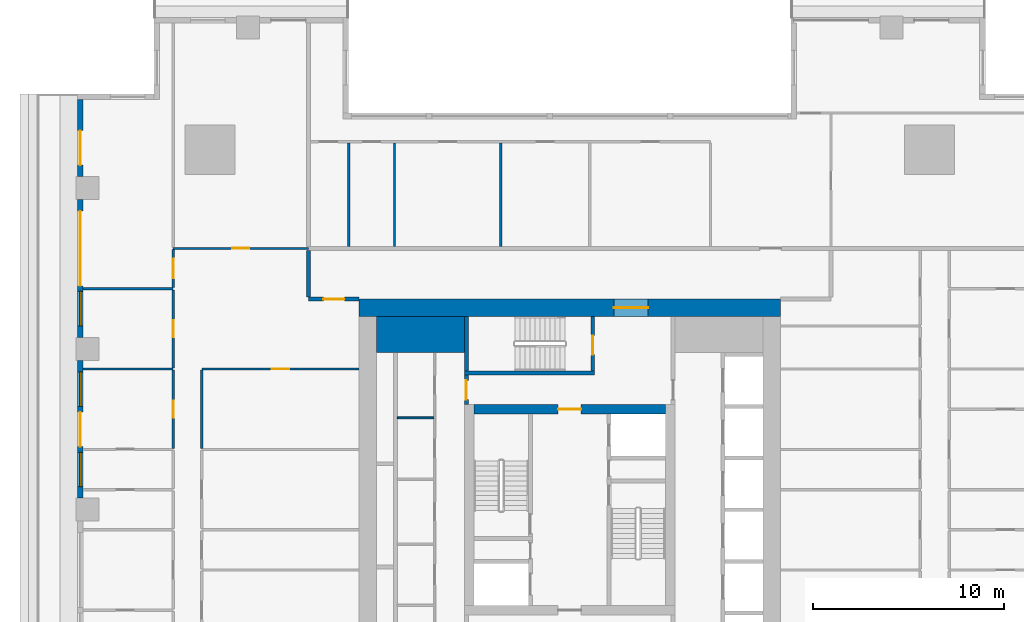
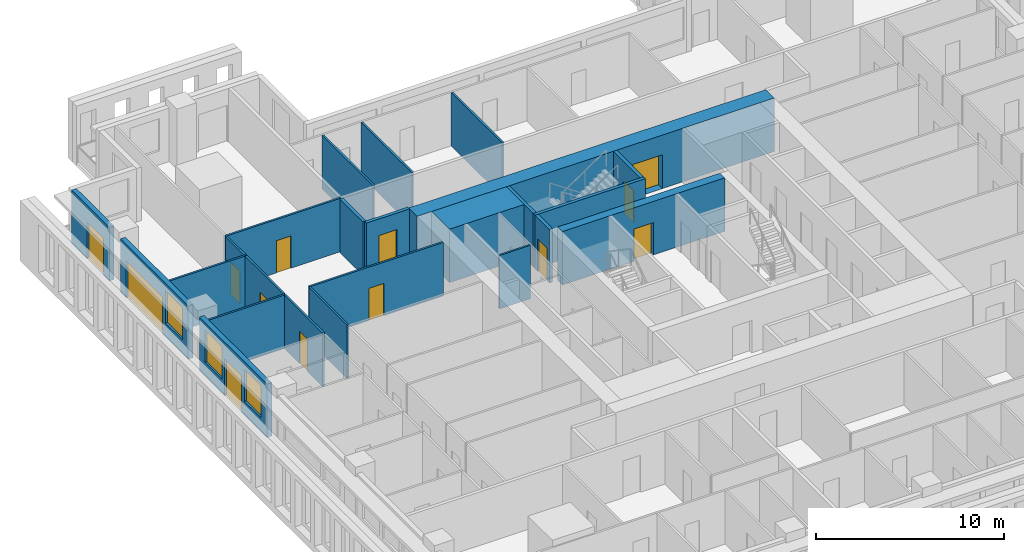
# One storey, part 7 of 16: 24 walls, 13 doors, 3 windows, 16 openings.
"""IFC4 building model written with IfcOpenShell, lengths in metres."""

from ifc_helpers import new_model, si_unit, direction, frame, frame_2d, origin, place, context, subcontext, project, spatial, rectangle, extrude, material, layer, layer_set, type_object, element, fill, save


model = new_model("IFC4")

# Units and contexts
model_context = context("Model", 3, precision=1e-05, world=origin(), true_north=direction((0.0, 1.0)))
body_context = subcontext(model_context, "Body", "Model", "MODEL_VIEW")
ifc_project = project(units=[si_unit("LENGTHUNIT", "METRE"), si_unit("AREAUNIT", "SQUARE_METRE"), si_unit("VOLUMEUNIT", "CUBIC_METRE"), si_unit("PLANEANGLEUNIT", "RADIAN"), si_unit("MASSUNIT", "GRAM", prefix="KILO")], contexts=[model_context])

# Site, building, storey
site_placement = place(None, origin())
site = spatial("IfcSite", under=ifc_project, at=site_placement, CompositionType="ELEMENT")
building_placement = place(site_placement, origin())
building = spatial("IfcBuilding", under=site, at=building_placement, Name="Khepri Terraces", CompositionType="ELEMENT")
storey_placement = place(building_placement, frame((0.0, 0.0, 168.89990234375)))
storey = spatial("IfcBuildingStorey", under=building, at=storey_placement, Name="L40", CompositionType="ELEMENT", Elevation=168.89990234375)

# Walls
ifc_material_1 = material(Name="Concrete C60/75", Category="concrete")
ifc_layer_1 = layer(ifc_material_1, 1.89990234375, Name="Concrete C60/75", Category="concrete")
ifc_layer_set_1 = layer_set([ifc_layer_1], Name="Concrete C60/75")
wall_type_1 = type_object("IfcWallType", Name="Core wall 1900 C60/75", PredefinedType="SHEAR", material=ifc_layer_set_1)
wall_1_placement = place(storey_placement, frame((-10.10009765625, 9.14990234375, 0.0), z_axis=(0.0, 0.0, 1.0), x_axis=(1.0, 0.0, 0.0)))
element("IfcWall", 1, at=wall_1_placement, inside=storey, type_object=wall_type_1, Name="Core wall PR03 L40", PredefinedType="SHEAR", context=body_context, shape_type="SweptSolid", body=[
    extrude(rectangle(XDim=4.60009765625, YDim=1.89990234375, at=frame_2d((2.300048828125, 0.0))), origin(), (0.0, 0.0, 1.0), 3.47998046875),
])
ifc_layer_2 = layer(ifc_material_1, 0.199951171875, Name="Concrete C60/75", Category="concrete")
ifc_layer_set_2 = layer_set([ifc_layer_2], Name="Concrete C60/75")
wall_type_2 = type_object("IfcWallType", Name="Core wall 200 C60/75", PredefinedType="SHEAR", material=ifc_layer_set_2)
wall_2_placement = place(storey_placement, frame((-5.5, 7.14990234375, 0.0), z_axis=(0.0, 0.0, 1.0), x_axis=(1.0, 0.0, 0.0)))
element("IfcWall", 2, at=wall_2_placement, inside=storey, type_object=wall_type_2, Name="Core wall ST05 L40", PredefinedType="SHEAR", context=body_context, shape_type="SweptSolid", body=[
    extrude(rectangle(XDim=6.800048828125, YDim=0.199951171875, at=frame_2d((3.39990234375, 0.0))), origin(), (0.0, 0.0, 1.0), 3.47998046875),
])
wall_3_placement = place(storey_placement, frame((-5.39990234375, 7.25, 0.0), z_axis=(0.0, 0.0, 1.0), x_axis=(0.0, 1.0, 0.0)))
element("IfcWall", 3, at=wall_3_placement, inside=storey, type_object=wall_type_2, Name="Core wall ST06 L40", PredefinedType="SHEAR", context=body_context, shape_type="SweptSolid", body=[
    extrude(rectangle(XDim=2.85009765625, YDim=0.199951171875, at=frame_2d((1.425048828125, 0.0))), origin(), (0.0, 0.0, 1.0), 3.47998046875),
])

# Wall, opening, door
wall_4_placement = place(storey_placement, frame((1.199951171875, 7.25, 0.0), z_axis=(0.0, 0.0, 1.0), x_axis=(0.0, 1.0, 0.0)))
wall_4 = element("IfcWall", 4, at=wall_4_placement, inside=storey, type_object=wall_type_2, Name="Core wall ST07 L40", PredefinedType="SHEAR", context=body_context, shape_type="SweptSolid", body=[
    extrude(rectangle(XDim=2.85009765625, YDim=0.199951171875, at=frame_2d((1.425048828125, 0.0))), origin(), (0.0, 0.0, 1.0), 3.47998046875),
])
opening_1_placement = place(wall_4_placement, frame((0.85009765625, 0.0, 0.0)))
opening_1 = element("IfcOpeningElement", 5, at=opening_1_placement, cuts=wall_4, Name="Opening L40-C15", PredefinedType="OPENING", context=body_context, shape_type="SweptSolid", body=[
    extrude(rectangle(XDim=1.0, YDim=2.10009765625, at=frame_2d((0.5, 1.050048828125))), frame((0.0, 0.10986328125, 0.0), z_axis=(0.0, -1.0, 0.0), x_axis=(1.0, 0.0, 0.0)), (0.0, 0.0, 1.0), 0.219970703125),
])
ifc_material_2 = material(Name="Painted steel", Category="steel")
door_type_1 = type_object("IfcDoorType", Name="DR-CORE-STAIR-1000", OperationType="NOTDEFINED", PredefinedType="DOOR", material=ifc_material_2)
door_1_placement = place(opening_1_placement, origin())
door_1 = element("IfcDoor", 6, at=door_1_placement, inside=storey, type_object=door_type_1, Name="Stair door L40-C15", OperationType="SINGLE_SWING_LEFT", OverallHeight=2.10009765625, OverallWidth=1.0, PredefinedType="DOOR", context=body_context, shape_type="SweptSolid", body=[
    extrude(rectangle(XDim=1.0, YDim=2.10009765625, at=frame_2d((0.5, 1.050048828125))), frame((0.0, 0.02490234375, 0.0), z_axis=(0.0, -1.0, 0.0), x_axis=(1.0, 0.0, 0.0)), (0.0, 0.0, 1.0), 0.050048828125),
])
fill(opening_1, door_1)

ifc_layer_3 = layer(ifc_material_1, 0.5, Name="Concrete C60/75", Category="concrete")
ifc_layer_set_3 = layer_set([ifc_layer_3], Name="Concrete C60/75")
wall_type_3 = type_object("IfcWallType", Name="Core wall 500 C60/75", PredefinedType="SHEAR", material=ifc_layer_set_3)
wall_5_placement = place(storey_placement, frame((-5.0, 5.25, 0.0), z_axis=(0.0, 0.0, 1.0), x_axis=(1.0, 0.0, 0.0)))
wall_5 = element("IfcWall", 7, at=wall_5_placement, inside=storey, type_object=wall_type_3, Name="Core wall BX04 L40", PredefinedType="SHEAR", context=body_context, shape_type="SweptSolid", body=[
    extrude(rectangle(XDim=10.0, YDim=0.5, at=frame_2d((5.0, 0.0))), origin(), (0.0, 0.0, 1.0), 3.47998046875),
])
opening_2_placement = place(wall_5_placement, frame((4.39990234375, 0.0, 0.0)))
opening_2 = element("IfcOpeningElement", 8, at=opening_2_placement, cuts=wall_5, Name="Opening L40-C13", PredefinedType="OPENING", context=body_context, shape_type="SweptSolid", body=[
    extrude(rectangle(XDim=1.199951171875, YDim=2.10009765625, at=frame_2d((0.60009765625, 1.050048828125))), frame((0.0, 0.260009765625, 0.0), z_axis=(0.0, -1.0, 0.0), x_axis=(1.0, 0.0, 0.0)), (0.0, 0.0, 1.0), 0.52001953125),
])
door_type_2 = type_object("IfcDoorType", Name="DR-CORE-FF-LOBBY-1200", OperationType="NOTDEFINED", PredefinedType="DOOR", material=ifc_material_2)
door_2_placement = place(opening_2_placement, frame((1.199951171875, 0.0, 0.0), z_axis=(0.0, 0.0, 1.0), x_axis=(-1.0, 0.0, 0.0)))
door_2 = element("IfcDoor", 9, at=door_2_placement, inside=storey, type_object=door_type_2, Name="Firefighting lobby door L40-C13", OperationType="SINGLE_SWING_LEFT", OverallHeight=2.10009765625, OverallWidth=1.199951171875, PredefinedType="DOOR", context=body_context, shape_type="SweptSolid", body=[
    extrude(rectangle(XDim=1.199951171875, YDim=2.10009765625, at=frame_2d((0.60009765625, 1.050048828125))), frame((0.0, 0.02490234375, 0.0), z_axis=(0.0, -1.0, 0.0), x_axis=(1.0, 0.0, 0.0)), (0.0, 0.0, 1.0), 0.050048828125),
])
fill(opening_2, door_2)

ifc_layer_4 = layer(ifc_material_1, 0.89990234375, Name="Concrete C60/75", Category="concrete")
ifc_layer_set_4 = layer_set([ifc_layer_4], Name="Concrete C60/75")
wall_type_4 = type_object("IfcWallType", Name="Core wall 900 C60/75", PredefinedType="SHEAR", material=ifc_layer_set_4)
wall_6_placement = place(storey_placement, frame((-11.0, 10.550048828125, 0.0), z_axis=(0.0, 0.0, 1.0), x_axis=(1.0, 0.0, 0.0)))
wall_6 = element("IfcWall", 10, at=wall_6_placement, inside=storey, type_object=wall_type_4, Name="Core wall OW-N L40", PredefinedType="SHEAR", context=body_context, shape_type="SweptSolid", body=[
    extrude(rectangle(XDim=22.0, YDim=0.89990234375, at=frame_2d((11.0, 0.0))), origin(), (0.0, 0.0, 1.0), 3.47998046875),
])
opening_3_placement = place(wall_6_placement, frame((13.300048828125, 0.0, 0.0)))
opening_3 = element("IfcOpeningElement", 11, at=opening_3_placement, cuts=wall_6, Name="Opening L40-C20", PredefinedType="OPENING", context=body_context, shape_type="SweptSolid", body=[
    extrude(rectangle(XDim=1.800048828125, YDim=2.199951171875, at=frame_2d((0.89990234375, 1.10009765625))), frame((0.0, 0.4599609375, 0.0), z_axis=(0.0, -1.0, 0.0), x_axis=(1.0, 0.0, 0.0)), (0.0, 0.0, 1.0), 0.919921875),
])
door_type_3 = type_object("IfcDoorType", Name="DR-CORE-ENTRANCE-1800", OperationType="NOTDEFINED", PredefinedType="DOOR", material=ifc_material_2)
door_3_placement = place(opening_3_placement, origin())
door_3 = element("IfcDoor", 12, at=door_3_placement, inside=storey, type_object=door_type_3, Name="Core entrance door pair L40-C20", OperationType="DOUBLE_DOOR_SINGLE_SWING", OverallHeight=2.199951171875, OverallWidth=1.800048828125, PredefinedType="DOOR", context=body_context, shape_type="SweptSolid", body=[
    extrude(rectangle(XDim=1.800048828125, YDim=2.199951171875, at=frame_2d((0.89990234375, 1.10009765625))), frame((0.0, 0.02490234375, 0.0), z_axis=(0.0, -1.0, 0.0), x_axis=(1.0, 0.0, 0.0)), (0.0, 0.0, 1.0), 0.050048828125),
])
fill(opening_3, door_3)

# Wall
ifc_material_3 = material(Name="Fire-rated gypsum board partition")
ifc_layer_5 = layer(ifc_material_3, 0.10009765625, Name="Fire-rated gypsum board partition")
ifc_layer_set_5 = layer_set([ifc_layer_5], Name="Fire-rated gypsum board partition")
wall_type_5 = type_object("IfcWallType", Name="WL-CORE-PART-100", PredefinedType="PARTITIONING", material=ifc_layer_set_5)
wall_7_placement = place(storey_placement, frame((-9.0, 4.800048828125, 0.0), z_axis=(0.0, 0.0, 1.0), x_axis=(1.0, 0.0, 0.0)))
element("IfcWall", 13, at=wall_7_placement, inside=storey, type_object=wall_type_5, Name="Core partition PT11 L40", PredefinedType="PARTITIONING", context=body_context, shape_type="SweptSolid", body=[
    extrude(rectangle(XDim=1.89990234375, YDim=0.10009765625, at=frame_2d((0.949951171875, 0.0))), origin(), (0.0, 0.0, 1.0), 3.47998046875),
])

# Wall, opening, door
ifc_layer_6 = layer(ifc_material_3, 0.199951171875, Name="Fire-rated gypsum board partition")
ifc_layer_set_6 = layer_set([ifc_layer_6], Name="Fire-rated gypsum board partition")
wall_type_6 = type_object("IfcWallType", Name="WL-CORE-PART-200", PredefinedType="PARTITIONING", material=ifc_layer_set_6)
wall_8_placement = place(storey_placement, frame((-5.39990234375, 5.5, 0.0), z_axis=(0.0, 0.0, 1.0), x_axis=(0.0, 1.0, 0.0)))
wall_8 = element("IfcWall", 14, at=wall_8_placement, inside=storey, type_object=wall_type_6, Name="Core partition PT12 L40", PredefinedType="PARTITIONING", context=body_context, shape_type="SweptSolid", body=[
    extrude(rectangle(XDim=1.550048828125, YDim=0.199951171875, at=frame_2d((0.77490234375, 0.0))), origin(), (0.0, 0.0, 1.0), 3.47998046875),
])
opening_4_placement = place(wall_8_placement, frame((0.25, 0.0, 0.0)))
opening_4 = element("IfcOpeningElement", 15, at=opening_4_placement, cuts=wall_8, Name="Opening L40-C16", PredefinedType="OPENING", context=body_context, shape_type="SweptSolid", body=[
    extrude(rectangle(XDim=1.0, YDim=2.10009765625, at=frame_2d((0.5, 1.050048828125))), frame((0.0, 0.10986328125, 0.0), z_axis=(0.0, -1.0, 0.0), x_axis=(1.0, 0.0, 0.0)), (0.0, 0.0, 1.0), 0.219970703125),
])
door_type_4 = type_object("IfcDoorType", Name="DR-CORE-LOBBY-1000", OperationType="NOTDEFINED", PredefinedType="DOOR", material=ifc_material_2)
door_4_placement = place(opening_4_placement, frame((1.0, 0.0, 0.0), z_axis=(0.0, 0.0, 1.0), x_axis=(-1.0, 0.0, 0.0)))
door_4 = element("IfcDoor", 16, at=door_4_placement, inside=storey, type_object=door_type_4, Name="Lobby door L40-C16", OperationType="SINGLE_SWING_RIGHT", OverallHeight=2.10009765625, OverallWidth=1.0, PredefinedType="DOOR", context=body_context, shape_type="SweptSolid", body=[
    extrude(rectangle(XDim=1.0, YDim=2.10009765625, at=frame_2d((0.5, 1.050048828125))), frame((0.0, 0.02490234375, 0.0), z_axis=(0.0, -1.0, 0.0), x_axis=(1.0, 0.0, 0.0)), (0.0, 0.0, 1.0), 0.050048828125),
])
fill(opening_4, door_4)

ifc_material_4 = material(Name="Fire-rated gypsum plasterboard partition, mineral wool")
ifc_layer_7 = layer(ifc_material_4, 0.199951171875, Name="Fire-rated gypsum plasterboard partition, mineral wool")
ifc_layer_set_7 = layer_set([ifc_layer_7], Name="Fire-rated gypsum plasterboard partition, mineral wool")
wall_type_7 = type_object("IfcWallType", Name="WL-CORR-200", PredefinedType="PARTITIONING", material=ifc_layer_set_7)
wall_9_placement = place(storey_placement, frame((-13.64990234375, 11.0, 0.0), z_axis=(0.0, 0.0, 1.0), x_axis=(1.0, 0.0, 0.0)))
wall_9 = element("IfcWall", 17, at=wall_9_placement, inside=storey, type_object=wall_type_7, Name="Partition P-084 L40", PredefinedType="PARTITIONING", context=body_context, shape_type="SweptSolid", body=[
    extrude(rectangle(XDim=2.64990234375, YDim=0.199951171875, at=frame_2d((1.324951171875, 0.0))), origin(), (0.0, 0.0, 1.0), 3.47998046875),
])
opening_5_placement = place(wall_9_placement, frame((0.77490234375, 0.0, 0.0)))
opening_5 = element("IfcOpeningElement", 18, at=opening_5_placement, cuts=wall_9, Name="Opening D1", PredefinedType="OPENING", context=body_context, shape_type="SweptSolid", body=[
    extrude(rectangle(XDim=1.10009765625, YDim=2.39990234375, at=frame_2d((0.550048828125, 1.199951171875))), frame((0.0, 0.10986328125, 0.0), z_axis=(0.0, -1.0, 0.0), x_axis=(1.0, 0.0, 0.0)), (0.0, 0.0, 1.0), 0.219970703125),
])
ifc_material_5 = material(Name="Solid-core timber door leaf, flat entrance door", Category="wood")
door_type_5 = type_object("IfcDoorType", Name="DR-ENT-1100", OperationType="NOTDEFINED", PredefinedType="DOOR", material=ifc_material_5)
door_5_placement = place(opening_5_placement, frame((1.10009765625, 0.0, 0.0), z_axis=(0.0, 0.0, 1.0), x_axis=(-1.0, 0.0, 0.0)))
door_5 = element("IfcDoor", 19, at=door_5_placement, inside=storey, type_object=door_type_5, Name="Flat D1 entrance door", OperationType="SINGLE_SWING_LEFT", OverallHeight=2.39990234375, OverallWidth=1.10009765625, PredefinedType="DOOR", context=body_context, shape_type="SweptSolid", body=[
    extrude(rectangle(XDim=1.10009765625, YDim=2.39990234375, at=frame_2d((0.550048828125, 1.199951171875))), frame((0.0, 0.02490234375, 0.0), z_axis=(0.0, -1.0, 0.0), x_axis=(1.0, 0.0, 0.0)), (0.0, 0.0, 1.0), 0.050048828125),
])
fill(opening_5, door_5)

# Wall
wall_10_placement = place(storey_placement, frame((-13.64990234375, 11.10009765625, 0.0), z_axis=(0.0, 0.0, 1.0), x_axis=(0.0, 1.0, 0.0)))
element("IfcWall", 20, at=wall_10_placement, inside=storey, type_object=wall_type_7, Name="Partition P-086 L40", PredefinedType="PARTITIONING", context=body_context, shape_type="SweptSolid", body=[
    extrude(rectangle(XDim=2.449951171875, YDim=0.199951171875, at=frame_2d((1.22509765625, 0.0))), origin(), (0.0, 0.0, 1.0), 3.47998046875),
])

# Wall, opening, door
ifc_material_6 = material(Name="Precast concrete C50/60 warm stone", Category="masonry")
ifc_layer_8 = layer(ifc_material_6, 0.300048828125, Name="Precast concrete C50/60 warm stone", Category="masonry")
ifc_layer_set_8 = layer_set([ifc_layer_8], Name="Precast concrete C50/60 warm stone")
wall_type_8 = type_object("IfcWallType", Name="WL-EXT-PRECAST-300", PredefinedType="STANDARD", material=ifc_layer_set_8)
wall_11_placement = place(storey_placement, frame((-25.570068359375, 21.419921875, 0.0), z_axis=(0.0, 0.0, 1.0), x_axis=(0.0, -1.0, 0.0)))
wall_11 = element("IfcWall", 21, at=wall_11_placement, inside=storey, type_object=wall_type_8, Name="External wall L40 W", PredefinedType="STANDARD", context=body_context, shape_type="SweptSolid", body=[
    extrude(rectangle(XDim=4.02001953125, YDim=0.300048828125, at=frame_2d((2.010009765625, 0.0))), origin(), (0.0, 0.0, 1.0), 3.47998046875),
])
opening_6_placement = place(wall_11_placement, frame((1.6201171875, 0.0, 0.0)))
opening_6 = element("IfcOpeningElement", 22, at=opening_6_placement, cuts=wall_11, Name="Opening ED-L40-07", PredefinedType="OPENING", context=body_context, shape_type="SweptSolid", body=[
    extrude(rectangle(XDim=1.800048828125, YDim=2.39990234375, at=frame_2d((0.89990234375, 1.199951171875))), frame((0.0, 0.16015625, 0.0), z_axis=(0.0, -1.0, 0.0), x_axis=(1.0, 0.0, 0.0)), (0.0, 0.0, 1.0), 0.320068359375),
])
ifc_material_7 = material(Name="Anodised aluminium bronze glazed door", Category="aluminium")
door_type_6 = type_object("IfcDoorType", Name="DR-BAL-SLIDE-1800x2400", OperationType="NOTDEFINED", PredefinedType="DOOR", material=ifc_material_7)
door_6_placement = place(opening_6_placement, origin())
door_6 = element("IfcDoor", 23, at=door_6_placement, inside=storey, type_object=door_type_6, Name="Balcony door L40 W", OperationType="SLIDING_TO_RIGHT", OverallHeight=2.39990234375, OverallWidth=1.800048828125, PredefinedType="DOOR", context=body_context, shape_type="SweptSolid", body=[
    extrude(rectangle(XDim=1.800048828125, YDim=2.39990234375, at=frame_2d((0.89990234375, 1.199951171875))), frame((0.0, 0.02490234375, 0.0), z_axis=(0.0, -1.0, 0.0), x_axis=(1.0, 0.0, 0.0)), (0.0, 0.0, 1.0), 0.050048828125),
])
fill(opening_6, door_6)

# Wall, openings, door, window
wall_12_placement = place(storey_placement, frame((-25.570068359375, 16.199951171875, 0.0), z_axis=(0.0, 0.0, 1.0), x_axis=(0.0, -1.0, 0.0)))
wall_12 = element("IfcWall", 24, at=wall_12_placement, inside=storey, type_object=wall_type_8, Name="External wall L40 W", PredefinedType="STANDARD", context=body_context, shape_type="SweptSolid", body=[
    extrude(rectangle(XDim=7.199951171875, YDim=0.300048828125, at=frame_2d((3.60009765625, 0.0))), origin(), (0.0, 0.0, 1.0), 3.47998046875),
])
opening_7_placement = place(wall_12_placement, frame((0.60009765625, 0.0, 0.0)))
opening_7 = element("IfcOpeningElement", 25, at=opening_7_placement, cuts=wall_12, Name="Opening ED-L40-08", PredefinedType="OPENING", context=body_context, shape_type="SweptSolid", body=[
    extrude(rectangle(XDim=3.89990234375, YDim=2.39990234375, at=frame_2d((1.949951171875, 1.199951171875))), frame((0.0, 0.16015625, 0.0), z_axis=(0.0, -1.0, 0.0), x_axis=(1.0, 0.0, 0.0)), (0.0, 0.0, 1.0), 0.320068359375),
])
opening_8_placement = place(wall_12_placement, frame((4.800048828125, 0.0, 0.89990234375)))
opening_8 = element("IfcOpeningElement", 26, at=opening_8_placement, cuts=wall_12, Name="Opening W1", PredefinedType="OPENING", context=body_context, shape_type="SweptSolid", body=[
    extrude(rectangle(XDim=1.800048828125, YDim=2.10009765625, at=frame_2d((0.89990234375, 1.050048828125))), frame((0.0, 0.16015625, 0.0), z_axis=(0.0, -1.0, 0.0), x_axis=(1.0, 0.0, 0.0)), (0.0, 0.0, 1.0), 0.320068359375),
])
door_type_7 = type_object("IfcDoorType", Name="DR-BAL-SLIDE-3900x2400", OperationType="NOTDEFINED", PredefinedType="DOOR", material=ifc_material_7)
door_7_placement = place(opening_7_placement, origin())
door_7 = element("IfcDoor", 27, at=door_7_placement, inside=storey, type_object=door_type_7, Name="Balcony door L40 W", OperationType="SLIDING_TO_LEFT", OverallHeight=2.39990234375, OverallWidth=3.89990234375, PredefinedType="DOOR", context=body_context, shape_type="SweptSolid", body=[
    extrude(rectangle(XDim=3.89990234375, YDim=2.39990234375, at=frame_2d((1.949951171875, 1.199951171875))), frame((0.0, 0.02490234375, 0.0), z_axis=(0.0, -1.0, 0.0), x_axis=(1.0, 0.0, 0.0)), (0.0, 0.0, 1.0), 0.050048828125),
])
fill(opening_7, door_7)
ifc_material_8 = material(Name="Clear glass", Category="glass")
window_type = type_object("IfcWindowType", Name="WIN-RES-1800x2100", PartitioningType="SINGLE_PANEL", PredefinedType="WINDOW", material=ifc_material_8)
window_1_placement = place(opening_8_placement, origin())
window_1 = element("IfcWindow", 28, at=window_1_placement, inside=storey, type_object=window_type, Name="Window L40 W", OverallHeight=2.10009765625, OverallWidth=1.800048828125, PartitioningType="SINGLE_PANEL", PredefinedType="WINDOW", context=body_context, shape_type="SweptSolid", body=[
    extrude(rectangle(XDim=1.800048828125, YDim=2.10009765625, at=frame_2d((0.89990234375, 1.050048828125))), frame((0.0, 0.030029296875, 0.0), z_axis=(0.0, -1.0, 0.0), x_axis=(1.0, 0.0, 0.0)), (0.0, 0.0, 1.0), 0.06005859375),
])
fill(opening_8, window_1)

# Wall, openings, door, windows
wall_13_placement = place(storey_placement, frame((-25.570068359375, 7.800048828125, 0.0), z_axis=(0.0, 0.0, 1.0), x_axis=(0.0, -1.0, 0.0)))
wall_13 = element("IfcWall", 29, at=wall_13_placement, inside=storey, type_object=wall_type_8, Name="External wall L40 W", PredefinedType="STANDARD", context=body_context, shape_type="SweptSolid", body=[
    extrude(rectangle(XDim=7.199951171875, YDim=0.300048828125, at=frame_2d((3.60009765625, 0.0))), origin(), (0.0, 0.0, 1.0), 3.47998046875),
])
opening_9_placement = place(wall_13_placement, frame((0.60009765625, 0.0, 0.89990234375)))
opening_9 = element("IfcOpeningElement", 30, at=opening_9_placement, cuts=wall_13, Name="Opening W1", PredefinedType="OPENING", context=body_context, shape_type="SweptSolid", body=[
    extrude(rectangle(XDim=1.800048828125, YDim=2.10009765625, at=frame_2d((0.89990234375, 1.050048828125))), frame((0.0, 0.16015625, 0.0), z_axis=(0.0, -1.0, 0.0), x_axis=(1.0, 0.0, 0.0)), (0.0, 0.0, 1.0), 0.320068359375),
])
opening_10_placement = place(wall_13_placement, frame((2.699951171875, 0.0, 0.0)))
opening_10 = element("IfcOpeningElement", 31, at=opening_10_placement, cuts=wall_13, Name="Opening ED-L40-09", PredefinedType="OPENING", context=body_context, shape_type="SweptSolid", body=[
    extrude(rectangle(XDim=1.800048828125, YDim=2.39990234375, at=frame_2d((0.89990234375, 1.199951171875))), frame((0.0, 0.16015625, 0.0), z_axis=(0.0, -1.0, 0.0), x_axis=(1.0, 0.0, 0.0)), (0.0, 0.0, 1.0), 0.320068359375),
])
opening_11_placement = place(wall_13_placement, frame((4.800048828125, 0.0, 0.89990234375)))
opening_11 = element("IfcOpeningElement", 32, at=opening_11_placement, cuts=wall_13, Name="Opening W1", PredefinedType="OPENING", context=body_context, shape_type="SweptSolid", body=[
    extrude(rectangle(XDim=1.800048828125, YDim=2.10009765625, at=frame_2d((0.89990234375, 1.050048828125))), frame((0.0, 0.16015625, 0.0), z_axis=(0.0, -1.0, 0.0), x_axis=(1.0, 0.0, 0.0)), (0.0, 0.0, 1.0), 0.320068359375),
])
door_8_placement = place(opening_10_placement, origin())
door_8 = element("IfcDoor", 33, at=door_8_placement, inside=storey, type_object=door_type_6, Name="Balcony door L40 W", OperationType="SLIDING_TO_LEFT", OverallHeight=2.39990234375, OverallWidth=1.800048828125, PredefinedType="DOOR", context=body_context, shape_type="SweptSolid", body=[
    extrude(rectangle(XDim=1.800048828125, YDim=2.39990234375, at=frame_2d((0.89990234375, 1.199951171875))), frame((0.0, 0.02490234375, 0.0), z_axis=(0.0, -1.0, 0.0), x_axis=(1.0, 0.0, 0.0)), (0.0, 0.0, 1.0), 0.050048828125),
])
fill(opening_10, door_8)
window_2_placement = place(opening_9_placement, origin())
window_2 = element("IfcWindow", 34, at=window_2_placement, inside=storey, type_object=window_type, Name="Window L40 W", OverallHeight=2.10009765625, OverallWidth=1.800048828125, PartitioningType="SINGLE_PANEL", PredefinedType="WINDOW", context=body_context, shape_type="SweptSolid", body=[
    extrude(rectangle(XDim=1.800048828125, YDim=2.10009765625, at=frame_2d((0.89990234375, 1.050048828125))), frame((0.0, 0.030029296875, 0.0), z_axis=(0.0, -1.0, 0.0), x_axis=(1.0, 0.0, 0.0)), (0.0, 0.0, 1.0), 0.06005859375),
])
fill(opening_9, window_2)
window_3_placement = place(opening_11_placement, origin())
window_3 = element("IfcWindow", 35, at=window_3_placement, inside=storey, type_object=window_type, Name="Window L40 W", OverallHeight=2.10009765625, OverallWidth=1.800048828125, PartitioningType="SINGLE_PANEL", PredefinedType="WINDOW", context=body_context, shape_type="SweptSolid", body=[
    extrude(rectangle(XDim=1.800048828125, YDim=2.10009765625, at=frame_2d((0.89990234375, 1.050048828125))), frame((0.0, 0.030029296875, 0.0), z_axis=(0.0, -1.0, 0.0), x_axis=(1.0, 0.0, 0.0)), (0.0, 0.0, 1.0), 0.06005859375),
])
fill(opening_11, window_3)

# Wall, opening, door
ifc_material_9 = material(Name="Gypsum plasterboard partition")
ifc_layer_9 = layer(ifc_material_9, 0.1201171875, Name="Gypsum plasterboard partition")
ifc_layer_set_9 = layer_set([ifc_layer_9], Name="Gypsum plasterboard partition")
wall_type_9 = type_object("IfcWallType", Name="WL-PART-120", PredefinedType="PARTITIONING", material=ifc_layer_set_9)
wall_14_placement = place(storey_placement, frame((-20.719970703125, 3.2099609375, 0.0), z_axis=(0.0, 0.0, 1.0), x_axis=(0.0, 1.0, 0.0)))
wall_14 = element("IfcWall", 36, at=wall_14_placement, inside=storey, type_object=wall_type_9, Name="Partition P-070 L40", PredefinedType="PARTITIONING", context=body_context, shape_type="SweptSolid", body=[
    extrude(rectangle(XDim=4.080078125, YDim=0.1201171875, at=frame_2d((2.0400390625, 0.0))), origin(), (0.0, 0.0, 1.0), 3.47998046875),
])
opening_12_placement = place(wall_14_placement, frame((1.590087890625, 0.0, 0.0)))
opening_12 = element("IfcOpeningElement", 37, at=opening_12_placement, cuts=wall_14, Name="Opening D3", PredefinedType="OPENING", context=body_context, shape_type="SweptSolid", body=[
    extrude(rectangle(XDim=0.89990234375, YDim=2.10009765625, at=frame_2d((0.449951171875, 1.050048828125))), frame((0.0, 0.070068359375, 0.0), z_axis=(0.0, -1.0, 0.0), x_axis=(1.0, 0.0, 0.0)), (0.0, 0.0, 1.0), 0.14013671875),
])
ifc_material_10 = material(Name="Timber door leaf", Category="wood")
door_type_8 = type_object("IfcDoorType", Name="DR-INT-900", OperationType="NOTDEFINED", PredefinedType="DOOR", material=ifc_material_10)
door_9_placement = place(opening_12_placement, origin())
door_9 = element("IfcDoor", 38, at=door_9_placement, inside=storey, type_object=door_type_8, Name="Door Master Bedroom", OperationType="SINGLE_SWING_RIGHT", OverallHeight=2.10009765625, OverallWidth=0.89990234375, PredefinedType="DOOR", context=body_context, shape_type="SweptSolid", body=[
    extrude(rectangle(XDim=0.89990234375, YDim=2.10009765625, at=frame_2d((0.449951171875, 1.050048828125))), frame((0.0, 0.02490234375, 0.0), z_axis=(0.0, -1.0, 0.0), x_axis=(1.0, 0.0, 0.0)), (0.0, 0.0, 1.0), 0.050048828125),
])
fill(opening_12, door_9)

# Walls
wall_15_placement = place(storey_placement, frame((-19.219970703125, 3.2099609375, 0.0), z_axis=(0.0, 0.0, 1.0), x_axis=(0.0, 1.0, 0.0)))
element("IfcWall", 39, at=wall_15_placement, inside=storey, type_object=wall_type_9, Name="Partition P-071 L40", PredefinedType="PARTITIONING", context=body_context, shape_type="SweptSolid", body=[
    extrude(rectangle(XDim=4.080078125, YDim=0.1201171875, at=frame_2d((2.0400390625, 0.0))), origin(), (0.0, 0.0, 1.0), 3.47998046875),
])
wall_16_placement = place(storey_placement, frame((-25.419921875, 7.35009765625, 0.0), z_axis=(0.0, 0.0, 1.0), x_axis=(1.0, 0.0, 0.0)))
element("IfcWall", 40, at=wall_16_placement, inside=storey, type_object=wall_type_9, Name="Partition P-075 L40", PredefinedType="PARTITIONING", context=body_context, shape_type="SweptSolid", body=[
    extrude(rectangle(XDim=4.699951171875, YDim=0.1201171875, at=frame_2d((2.35009765625, 0.0))), origin(), (0.0, 0.0, 1.0), 3.47998046875),
])

# Wall, opening, door
wall_17_placement = place(storey_placement, frame((-19.219970703125, 7.35009765625, 0.0), z_axis=(0.0, 0.0, 1.0), x_axis=(1.0, 0.0, 0.0)))
wall_17 = element("IfcWall", 41, at=wall_17_placement, inside=storey, type_object=wall_type_9, Name="Partition P-076 L40", PredefinedType="PARTITIONING", context=body_context, shape_type="SweptSolid", body=[
    extrude(rectangle(XDim=8.219970703125, YDim=0.1201171875, at=frame_2d((4.10986328125, 0.0))), origin(), (0.0, 0.0, 1.0), 3.47998046875),
])
opening_13_placement = place(wall_17_placement, frame((3.659912109375, 0.0, 0.0)))
opening_13 = element("IfcOpeningElement", 42, at=opening_13_placement, cuts=wall_17, Name="Opening D3", PredefinedType="OPENING", context=body_context, shape_type="SweptSolid", body=[
    extrude(rectangle(XDim=0.89990234375, YDim=2.10009765625, at=frame_2d((0.449951171875, 1.050048828125))), frame((0.0, 0.070068359375, 0.0), z_axis=(0.0, -1.0, 0.0), x_axis=(1.0, 0.0, 0.0)), (0.0, 0.0, 1.0), 0.14013671875),
])
door_10_placement = place(opening_13_placement, frame((0.89990234375, 0.0, 0.0), z_axis=(0.0, 0.0, 1.0), x_axis=(-1.0, 0.0, 0.0)))
door_10 = element("IfcDoor", 43, at=door_10_placement, inside=storey, type_object=door_type_8, Name="Door Kitchen", OperationType="SINGLE_SWING_LEFT", OverallHeight=2.10009765625, OverallWidth=0.89990234375, PredefinedType="DOOR", context=body_context, shape_type="SweptSolid", body=[
    extrude(rectangle(XDim=0.89990234375, YDim=2.10009765625, at=frame_2d((0.449951171875, 1.050048828125))), frame((0.0, 0.02490234375, 0.0), z_axis=(0.0, -1.0, 0.0), x_axis=(1.0, 0.0, 0.0)), (0.0, 0.0, 1.0), 0.050048828125),
])
fill(opening_13, door_10)

wall_18_placement = place(storey_placement, frame((-20.719970703125, 7.409912109375, 0.0), z_axis=(0.0, 0.0, 1.0), x_axis=(0.0, 1.0, 0.0)))
wall_18 = element("IfcWall", 44, at=wall_18_placement, inside=storey, type_object=wall_type_9, Name="Partition P-079 L40", PredefinedType="PARTITIONING", context=body_context, shape_type="SweptSolid", body=[
    extrude(rectangle(XDim=4.080078125, YDim=0.1201171875, at=frame_2d((2.0400390625, 0.0))), origin(), (0.0, 0.0, 1.0), 3.47998046875),
])
opening_14_placement = place(wall_18_placement, frame((1.590087890625, 0.0, 0.0)))
opening_14 = element("IfcOpeningElement", 45, at=opening_14_placement, cuts=wall_18, Name="Opening D3", PredefinedType="OPENING", context=body_context, shape_type="SweptSolid", body=[
    extrude(rectangle(XDim=0.89990234375, YDim=2.10009765625, at=frame_2d((0.449951171875, 1.050048828125))), frame((0.0, 0.070068359375, 0.0), z_axis=(0.0, -1.0, 0.0), x_axis=(1.0, 0.0, 0.0)), (0.0, 0.0, 1.0), 0.14013671875),
])
door_11_placement = place(opening_14_placement, origin())
door_11 = element("IfcDoor", 46, at=door_11_placement, inside=storey, type_object=door_type_8, Name="Door Study", OperationType="SINGLE_SWING_LEFT", OverallHeight=2.10009765625, OverallWidth=0.89990234375, PredefinedType="DOOR", context=body_context, shape_type="SweptSolid", body=[
    extrude(rectangle(XDim=0.89990234375, YDim=2.10009765625, at=frame_2d((0.449951171875, 1.050048828125))), frame((0.0, 0.02490234375, 0.0), z_axis=(0.0, -1.0, 0.0), x_axis=(1.0, 0.0, 0.0)), (0.0, 0.0, 1.0), 0.050048828125),
])
fill(opening_14, door_11)

# Wall
wall_19_placement = place(storey_placement, frame((-25.419921875, 11.550048828125, 0.0), z_axis=(0.0, 0.0, 1.0), x_axis=(1.0, 0.0, 0.0)))
element("IfcWall", 47, at=wall_19_placement, inside=storey, type_object=wall_type_9, Name="Partition P-088 L40", PredefinedType="PARTITIONING", context=body_context, shape_type="SweptSolid", body=[
    extrude(rectangle(XDim=4.699951171875, YDim=0.1201171875, at=frame_2d((2.35009765625, 0.0))), origin(), (0.0, 0.0, 1.0), 3.47998046875),
])

# Wall, opening, door
wall_20_placement = place(storey_placement, frame((-20.719970703125, 11.610107421875, 0.0), z_axis=(0.0, 0.0, 1.0), x_axis=(0.0, 1.0, 0.0)))
wall_20 = element("IfcWall", 48, at=wall_20_placement, inside=storey, type_object=wall_type_9, Name="Partition P-090 L40", PredefinedType="PARTITIONING", context=body_context, shape_type="SweptSolid", body=[
    extrude(rectangle(XDim=1.97998046875, YDim=0.1201171875, at=frame_2d((0.989990234375, 0.0))), origin(), (0.0, 0.0, 1.0), 3.47998046875),
])
opening_15_placement = place(wall_20_placement, frame((0.489990234375, 0.0, 0.0)))
opening_15 = element("IfcOpeningElement", 49, at=opening_15_placement, cuts=wall_20, Name="Opening D2", PredefinedType="OPENING", context=body_context, shape_type="SweptSolid", body=[
    extrude(rectangle(XDim=1.0, YDim=2.10009765625, at=frame_2d((0.5, 1.050048828125))), frame((0.0, 0.070068359375, 0.0), z_axis=(0.0, -1.0, 0.0), x_axis=(1.0, 0.0, 0.0)), (0.0, 0.0, 1.0), 0.14013671875),
])
ifc_material_11 = material(Name="Timber door leaf, living room door", Category="wood")
door_type_9 = type_object("IfcDoorType", Name="DR-INT-1000", OperationType="NOTDEFINED", PredefinedType="DOOR", material=ifc_material_11)
door_12_placement = place(opening_15_placement, origin())
door_12 = element("IfcDoor", 50, at=door_12_placement, inside=storey, type_object=door_type_9, Name="Door Living Room", OperationType="SINGLE_SWING_RIGHT", OverallHeight=2.10009765625, OverallWidth=1.0, PredefinedType="DOOR", context=body_context, shape_type="SweptSolid", body=[
    extrude(rectangle(XDim=1.0, YDim=2.10009765625, at=frame_2d((0.5, 1.050048828125))), frame((0.0, 0.02490234375, 0.0), z_axis=(0.0, -1.0, 0.0), x_axis=(1.0, 0.0, 0.0)), (0.0, 0.0, 1.0), 0.050048828125),
])
fill(opening_15, door_12)

wall_21_placement = place(storey_placement, frame((-20.719970703125, 13.64990234375, 0.0), z_axis=(0.0, 0.0, 1.0), x_axis=(1.0, 0.0, 0.0)))
wall_21 = element("IfcWall", 51, at=wall_21_placement, inside=storey, type_object=wall_type_9, Name="Partition P-092 L40", PredefinedType="PARTITIONING", context=body_context, shape_type="SweptSolid", body=[
    extrude(rectangle(XDim=7.070068359375, YDim=0.1201171875, at=frame_2d((3.53515625, 0.0))), origin(), (0.0, 0.0, 1.0), 3.47998046875),
])
opening_16_placement = place(wall_21_placement, frame((3.0849609375, 0.0, 0.0)))
opening_16 = element("IfcOpeningElement", 52, at=opening_16_placement, cuts=wall_21, Name="Opening D3", PredefinedType="OPENING", context=body_context, shape_type="SweptSolid", body=[
    extrude(rectangle(XDim=0.89990234375, YDim=2.10009765625, at=frame_2d((0.449951171875, 1.050048828125))), frame((0.0, 0.070068359375, 0.0), z_axis=(0.0, -1.0, 0.0), x_axis=(1.0, 0.0, 0.0)), (0.0, 0.0, 1.0), 0.14013671875),
])
door_13_placement = place(opening_16_placement, origin())
door_13 = element("IfcDoor", 53, at=door_13_placement, inside=storey, type_object=door_type_8, Name="Door Library", OperationType="SINGLE_SWING_RIGHT", OverallHeight=2.10009765625, OverallWidth=0.89990234375, PredefinedType="DOOR", context=body_context, shape_type="SweptSolid", body=[
    extrude(rectangle(XDim=0.89990234375, YDim=2.10009765625, at=frame_2d((0.449951171875, 1.050048828125))), frame((0.0, 0.02490234375, 0.0), z_axis=(0.0, -1.0, 0.0), x_axis=(1.0, 0.0, 0.0)), (0.0, 0.0, 1.0), 0.050048828125),
])
fill(opening_16, door_13)

# Walls
for number, where, z_axis, x_axis, name in (
    (54, (-11.550048828125, 13.75, 0.0), (0.0, 0.0, 1.0), (0.0, 1.0, 0.0), "Partition P-096 L40"),
    (55, (-9.14990234375, 13.75, 0.0), (0.0, 0.0, 1.0), (0.0, 1.0, 0.0), "Partition P-097 L40"),
    (56, (-3.60009765625, 13.75, 0.0), (0.0, 0.0, 1.0), (0.0, 1.0, 0.0), "Partition P-098 L40"),
):
    element("IfcWall", number, at=place(storey_placement, frame(where, z_axis=z_axis, x_axis=x_axis)), inside=storey, type_object=wall_type_9, Name=name, PredefinedType="PARTITIONING", context=body_context, shape_type="SweptSolid", body=[
        extrude(rectangle(XDim=5.409912109375, YDim=0.1201171875, at=frame_2d((2.705078125, 0.0))), origin(), (0.0, 0.0, 1.0), 3.47998046875),
    ])

save(model, "model.ifc")
